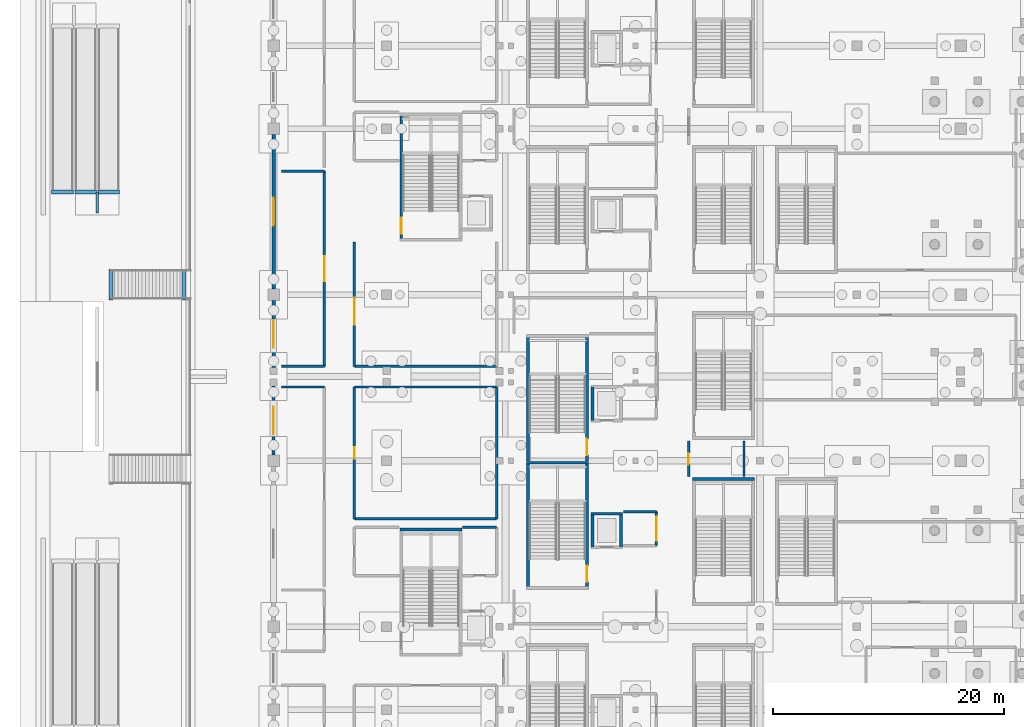
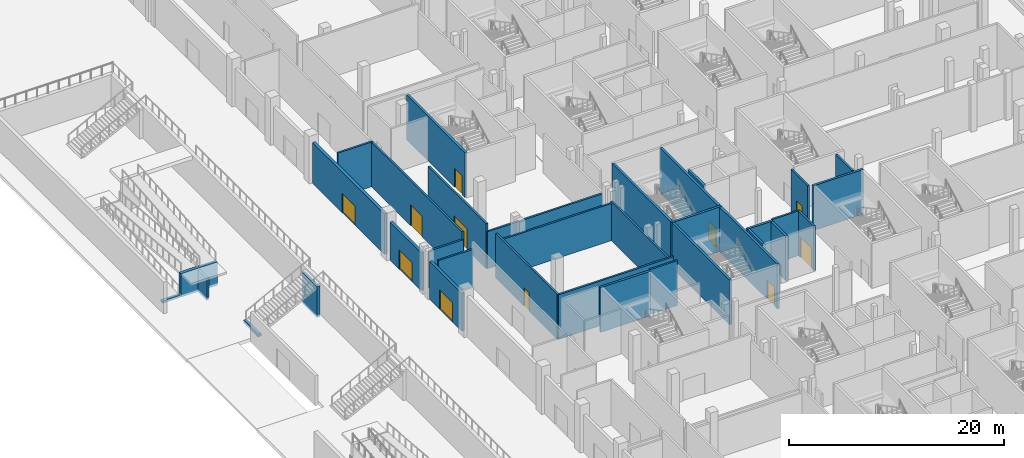
# One storey, part 35 of 89: 36 walls, 11 doors, 11 openings.
"""IFC4 building model written with IfcOpenShell, lengths in metres."""

from ifc_helpers import new_model, si_unit, direction, frame, frame_2d, origin, place, context, subcontext, project, spatial, rectangle, extrude, material, layer, layer_set, type_object, element, fill, save


model = new_model("IFC4")

# Units and contexts
model_context = context("Model", 3, precision=1e-05, world=origin(), true_north=direction((0.0, 1.0)))
body_context = subcontext(model_context, "Body", "Model", "MODEL_VIEW")
ifc_project = project(units=[si_unit("LENGTHUNIT", "METRE"), si_unit("AREAUNIT", "SQUARE_METRE"), si_unit("VOLUMEUNIT", "CUBIC_METRE"), si_unit("PLANEANGLEUNIT", "RADIAN"), si_unit("MASSUNIT", "GRAM", prefix="KILO")], contexts=[model_context])

# Site, building, storey
site_placement = place(None, origin())
site = spatial("IfcSite", under=ifc_project, at=site_placement, CompositionType="ELEMENT")
building_placement = place(site_placement, origin())
building = spatial("IfcBuilding", under=site, at=building_placement, Name="Koshinbarg Plaza Stadium", CompositionType="ELEMENT")
storey_placement = place(building_placement, origin())
storey = spatial("IfcBuildingStorey", under=building, at=storey_placement, Name="L00", CompositionType="ELEMENT", Elevation=0.0)

# Walls
ifc_material_1 = material(Name="Concrete C40/50", Category="concrete")
ifc_layer_1 = layer(ifc_material_1, 0.25)
ifc_layer_set_1 = layer_set([ifc_layer_1], Name="Concrete C40/50")
wall_type_1 = type_object("IfcWallType", Name="WL-CORE-250", PredefinedType="SHEAR", material=ifc_layer_set_1)
wall_1_placement = place(storey_placement, frame((31.320068359375, 68.52490234375, 0.0), z_axis=(0.0, 0.0, 1.0), x_axis=(-1.0, 0.0, 0.0)))
element("IfcWall", 1, at=wall_1_placement, inside=storey, type_object=wall_type_1, Name="L00 core stair shear wall C03-far IWL-L00-0058", PredefinedType="SHEAR", context=body_context, shape_type="SweptSolid", body=[
    extrude(rectangle(XDim=5.3701171875, YDim=0.25, at=frame_2d((2.68505859375, 0.0))), origin(), (0.0, 0.0, 1.0), 5.080078125),
])
wall_2_placement = place(storey_placement, frame((26.074951171875, 57.675048828125, 0.0), z_axis=(0.0, 0.0, 1.0), x_axis=(0.0, 1.0, 0.0)))
element("IfcWall", 2, at=wall_2_placement, inside=storey, type_object=wall_type_1, Name="L00 core stair shear wall C03-left IWL-L00-0059", PredefinedType="SHEAR", context=body_context, shape_type="SweptSolid", body=[
    extrude(rectangle(XDim=10.849853515625, YDim=0.25, at=frame_2d((5.4248046875, 0.0))), origin(), (0.0, 0.0, 1.0), 5.080078125),
])

# Wall, opening, door
wall_3_placement = place(storey_placement, frame((31.195068359375, 57.675048828125, 0.0), z_axis=(0.0, 0.0, 1.0), x_axis=(0.0, 1.0, 0.0)))
wall_3 = element("IfcWall", 3, at=wall_3_placement, inside=storey, type_object=wall_type_1, Name="L00 core stair shear wall C03-right IWL-L00-0060", PredefinedType="SHEAR", context=body_context, shape_type="SweptSolid", body=[
    extrude(rectangle(XDim=10.849853515625, YDim=0.25, at=frame_2d((5.4248046875, 0.0))), origin(), (0.0, 0.0, 1.0), 5.080078125),
])
opening_1_placement = place(wall_3_placement, frame((0.52001953125, 0.0, 0.0)))
opening_1 = element("IfcOpeningElement", 4, at=opening_1_placement, cuts=wall_3, Name="Opening D-0075", PredefinedType="OPENING", context=body_context, shape_type="SweptSolid", body=[
    extrude(rectangle(XDim=1.39990234375, YDim=2.14990234375, at=frame_2d((0.699951171875, 1.074951171875))), frame((0.0, 0.135009765625, 0.0), z_axis=(0.0, -1.0, 0.0), x_axis=(1.0, 0.0, 0.0)), (0.0, 0.0, 1.0), 0.27001953125),
])
ifc_material_2 = material(Name="Painted galvanized steel fire door", Category="steel")
door_type_1 = type_object("IfcDoorType", Name="DR-STAIR-1400", OperationType="NOTDEFINED", PredefinedType="DOOR", material=ifc_material_2)
door_1_placement = place(opening_1_placement, frame((1.39990234375, 0.0, 0.0), z_axis=(0.0, 0.0, 1.0), x_axis=(-1.0, 0.0, 0.0)))
door_1 = element("IfcDoor", 5, at=door_1_placement, inside=storey, type_object=door_type_1, Name="L00 exit stair door C03", OperationType="SINGLE_SWING_LEFT", OverallHeight=2.14990234375, OverallWidth=1.39990234375, PredefinedType="DOOR", context=body_context, shape_type="SweptSolid", body=[
    extrude(rectangle(XDim=1.39990234375, YDim=2.14990234375, at=frame_2d((0.699951171875, 1.074951171875))), frame((0.0, 0.02490234375, 0.0), z_axis=(0.0, -1.0, 0.0), x_axis=(1.0, 0.0, 0.0)), (0.0, 0.0, 1.0), 0.050048828125),
])
fill(opening_1, door_1)

# Wall
wall_4_placement = place(storey_placement, frame((26.074951171875, 68.675048828125, 0.0), z_axis=(0.0, 0.0, 1.0), x_axis=(0.0, 1.0, 0.0)))
element("IfcWall", 6, at=wall_4_placement, inside=storey, type_object=wall_type_1, Name="L00 core stair shear wall C04-left IWL-L00-0086", PredefinedType="SHEAR", context=body_context, shape_type="SweptSolid", body=[
    extrude(rectangle(XDim=10.849853515625, YDim=0.25, at=frame_2d((5.4248046875, 0.0))), origin(), (0.0, 0.0, 1.0), 5.080078125),
])

# Wall, opening, door
wall_5_placement = place(storey_placement, frame((31.195068359375, 68.675048828125, 0.0), z_axis=(0.0, 0.0, 1.0), x_axis=(0.0, 1.0, 0.0)))
wall_5 = element("IfcWall", 7, at=wall_5_placement, inside=storey, type_object=wall_type_1, Name="L00 core stair shear wall C04-right IWL-L00-0087", PredefinedType="SHEAR", context=body_context, shape_type="SweptSolid", body=[
    extrude(rectangle(XDim=10.849853515625, YDim=0.25, at=frame_2d((5.4248046875, 0.0))), origin(), (0.0, 0.0, 1.0), 5.080078125),
])
opening_2_placement = place(wall_5_placement, frame((0.52001953125, 0.0, 0.0)))
opening_2 = element("IfcOpeningElement", 8, at=opening_2_placement, cuts=wall_5, Name="Opening D-0082", PredefinedType="OPENING", context=body_context, shape_type="SweptSolid", body=[
    extrude(rectangle(XDim=1.39990234375, YDim=2.14990234375, at=frame_2d((0.699951171875, 1.074951171875))), frame((0.0, 0.135009765625, 0.0), z_axis=(0.0, -1.0, 0.0), x_axis=(1.0, 0.0, 0.0)), (0.0, 0.0, 1.0), 0.27001953125),
])
door_2_placement = place(opening_2_placement, frame((1.39990234375, 0.0, 0.0), z_axis=(0.0, 0.0, 1.0), x_axis=(-1.0, 0.0, 0.0)))
door_2 = element("IfcDoor", 9, at=door_2_placement, inside=storey, type_object=door_type_1, Name="L00 exit stair door C04", OperationType="SINGLE_SWING_LEFT", OverallHeight=2.14990234375, OverallWidth=1.39990234375, PredefinedType="DOOR", context=body_context, shape_type="SweptSolid", body=[
    extrude(rectangle(XDim=1.39990234375, YDim=2.14990234375, at=frame_2d((0.699951171875, 1.074951171875))), frame((0.0, 0.02490234375, 0.0), z_axis=(0.0, -1.0, 0.0), x_axis=(1.0, 0.0, 0.0)), (0.0, 0.0, 1.0), 0.050048828125),
])
fill(opening_2, door_2)

wall_6_placement = place(storey_placement, frame((15.074951171875, 87.875, 0.0), z_axis=(0.0, 0.0, 1.0), x_axis=(0.0, 1.0, 0.0)))
wall_6 = element("IfcWall", 10, at=wall_6_placement, inside=storey, type_object=wall_type_1, Name="L00 core stair shear wall C15-left IWL-L00-0332", PredefinedType="SHEAR", context=body_context, shape_type="SweptSolid", body=[
    extrude(rectangle(XDim=10.85009765625, YDim=0.25, at=frame_2d((5.425048828125, 0.0))), origin(), (0.0, 0.0, 1.0), 5.080078125),
])
opening_3_placement = place(wall_6_placement, frame((0.52001953125, 0.0, 0.0)))
opening_3 = element("IfcOpeningElement", 11, at=opening_3_placement, cuts=wall_6, Name="Opening D-0145", PredefinedType="OPENING", context=body_context, shape_type="SweptSolid", body=[
    extrude(rectangle(XDim=1.39990234375, YDim=2.14990234375, at=frame_2d((0.699951171875, 1.074951171875))), frame((0.0, 0.135009765625, 0.0), z_axis=(0.0, -1.0, 0.0), x_axis=(1.0, 0.0, 0.0)), (0.0, 0.0, 1.0), 0.27001953125),
])
door_3_placement = place(opening_3_placement, origin())
door_3 = element("IfcDoor", 12, at=door_3_placement, inside=storey, type_object=door_type_1, Name="L00 exit stair door C15", OperationType="SINGLE_SWING_LEFT", OverallHeight=2.14990234375, OverallWidth=1.39990234375, PredefinedType="DOOR", context=body_context, shape_type="SweptSolid", body=[
    extrude(rectangle(XDim=1.39990234375, YDim=2.14990234375, at=frame_2d((0.699951171875, 1.074951171875))), frame((0.0, 0.02490234375, 0.0), z_axis=(0.0, -1.0, 0.0), x_axis=(1.0, 0.0, 0.0)), (0.0, 0.0, 1.0), 0.050048828125),
])
fill(opening_3, door_3)

# Walls
wall_7_placement = place(storey_placement, frame((20.320068359375, 62.72509765625, 0.0), z_axis=(0.0, 0.0, 1.0), x_axis=(-1.0, 0.0, 0.0)))
element("IfcWall", 13, at=wall_7_placement, inside=storey, type_object=wall_type_1, Name="L00 core stair shear wall C16-far IWL-L00-0343", PredefinedType="SHEAR", context=body_context, shape_type="SweptSolid", body=[
    extrude(rectangle(XDim=5.3701171875, YDim=0.25, at=frame_2d((2.68505859375, 0.0))), origin(), (0.0, 0.0, 1.0), 5.080078125),
])
wall_8_placement = place(storey_placement, frame((45.719970703125, 67.125, 0.0), z_axis=(0.0, 0.0, 1.0), x_axis=(-1.0, 0.0, 0.0)))
element("IfcWall", 14, at=wall_8_placement, inside=storey, type_object=wall_type_1, Name="L00 vomitory stair shear wall VX03-far IWL-L00-0387", PredefinedType="SHEAR", context=body_context, shape_type="SweptSolid", body=[
    extrude(rectangle(XDim=5.369873046875, YDim=0.25, at=frame_2d((2.68505859375, 0.0))), origin(), (0.0, 0.0, 1.0), 5.080078125),
])
wall_9_placement = place(storey_placement, frame((34.27490234375, 64.10009765625, 0.0), z_axis=(0.0, 0.0, 1.0), x_axis=(-1.0, 0.0, 0.0)))
element("IfcWall", 15, at=wall_9_placement, inside=storey, type_object=wall_type_1, Name="L00 lift shaft shear wall LP01-N IWL-L00-0709", PredefinedType="SHEAR", context=body_context, shape_type="SweptSolid", body=[
    extrude(rectangle(XDim=2.75, YDim=0.25, at=frame_2d((1.375, 0.0))), origin(), (0.0, 0.0, 1.0), 5.080078125),
])
for number, where, z_axis, x_axis, name in (
    (16, (31.64990234375, 64.10009765625, 0.0), (0.0, 0.0, 1.0), (0.0, -1.0, 0.0), "L00 lift shaft shear wall LP01-W IWL-L00-0710"),
    (17, (34.14990234375, 61.199951171875, 0.0), (0.0, 0.0, 1.0), (0.0, 1.0, 0.0), "L00 lift shaft shear wall LP01-E IWL-L00-0711"),
    (18, (31.64990234375, 75.10009765625, 0.0), (0.0, 0.0, 1.0), (0.0, -1.0, 0.0), "L00 lift shaft shear wall LP02-W IWL-L00-0738"),
):
    element("IfcWall", number, at=place(storey_placement, frame(where, z_axis=z_axis, x_axis=x_axis)), inside=storey, type_object=wall_type_1, Name=name, PredefinedType="SHEAR", context=body_context, shape_type="SweptSolid", body=[
        extrude(rectangle(XDim=2.900146484375, YDim=0.25, at=frame_2d((1.4501953125, 0.0))), origin(), (0.0, 0.0, 1.0), 5.080078125),
    ])

# Wall, opening, door
ifc_material_3 = material(Name="Terracotta-ochre mineral plaster insulated wall", Category="masonry")
ifc_layer_2 = layer(ifc_material_3, 0.280029296875)
ifc_layer_set_2 = layer_set([ifc_layer_2], Name="Terracotta-ochre mineral plaster insulated wall")
wall_type_2 = type_object("IfcWallType", Name="WL-EXT-280", PredefinedType="SOLIDWALL", material=ifc_layer_set_2)
wall_10_placement = place(storey_placement, frame((4.0, 69.195068359375, 0.0), z_axis=(0.0, 0.0, 1.0), x_axis=(0.0, 1.0, 0.0)))
wall_10 = element("IfcWall", 19, at=wall_10_placement, inside=storey, type_object=wall_type_2, Name="L00 exterior envelope wall EWL-L00-0008", PredefinedType="SOLIDWALL", context=body_context, shape_type="SweptSolid", body=[
    extrude(rectangle(XDim=6.010009765625, YDim=0.280029296875, at=frame_2d((3.0048828125, 0.0))), origin(), (0.0, 0.0, 1.0), 4.31005859375),
])
opening_4_placement = place(wall_10_placement, frame((1.804931640625, 0.0, 0.0)))
opening_4 = element("IfcOpeningElement", 20, at=opening_4_placement, cuts=wall_10, Name="Opening D-0009", PredefinedType="OPENING", context=body_context, shape_type="SweptSolid", body=[
    extrude(rectangle(XDim=2.39990234375, YDim=2.199951171875, at=frame_2d((1.199951171875, 1.10009765625))), frame((0.0, 0.14990234375, 0.0), z_axis=(0.0, -1.0, 0.0), x_axis=(1.0, 0.0, 0.0)), (0.0, 0.0, 1.0), 0.300048828125),
])
ifc_material_4 = material(Name="Anodised aluminium thermally broken exit door", Category="aluminium")
door_type_2 = type_object("IfcDoorType", Name="DR-EXIT-2400", OperationType="NOTDEFINED", PredefinedType="DOOR", material=ifc_material_4)
door_4_placement = place(opening_4_placement, origin())
door_4 = element("IfcDoor", 21, at=door_4_placement, inside=storey, type_object=door_type_2, Name="Main exit E08", OperationType="DOUBLE_DOOR_SINGLE_SWING", OverallHeight=2.199951171875, OverallWidth=2.39990234375, PredefinedType="DOOR", context=body_context, shape_type="SweptSolid", body=[
    extrude(rectangle(XDim=2.39990234375, YDim=2.199951171875, at=frame_2d((1.199951171875, 1.10009765625))), frame((0.0, 0.02490234375, 0.0), z_axis=(0.0, -1.0, 0.0), x_axis=(1.0, 0.0, 0.0)), (0.0, 0.0, 1.0), 0.050048828125),
])
fill(opening_4, door_4)

ifc_material_5 = material(Name="Off-white mineral plaster insulated wall", Category="masonry")
ifc_layer_3 = layer(ifc_material_5, 0.300048828125)
ifc_layer_set_3 = layer_set([ifc_layer_3], Name="Off-white mineral plaster insulated wall")
wall_type_3 = type_object("IfcWallType", Name="WL-EXT-300", PredefinedType="SOLIDWALL", material=ifc_layer_set_3)
wall_11_placement = place(storey_placement, frame((4.0, 76.794921875, 0.0), z_axis=(0.0, 0.0, 1.0), x_axis=(0.0, 1.0, 0.0)))
wall_11 = element("IfcWall", 22, at=wall_11_placement, inside=storey, type_object=wall_type_3, Name="L00 exterior envelope wall EWL-L00-0009", PredefinedType="SOLIDWALL", context=body_context, shape_type="SweptSolid", body=[
    extrude(rectangle(XDim=5.81005859375, YDim=0.300048828125, at=frame_2d((2.905029296875, 0.0))), origin(), (0.0, 0.0, 1.0), 4.31005859375),
])
opening_5_placement = place(wall_11_placement, frame((1.705078125, 0.0, 0.0)))
opening_5 = element("IfcOpeningElement", 23, at=opening_5_placement, cuts=wall_11, Name="Opening D-0010", PredefinedType="OPENING", context=body_context, shape_type="SweptSolid", body=[
    extrude(rectangle(XDim=2.39990234375, YDim=2.199951171875, at=frame_2d((1.199951171875, 1.10009765625))), frame((0.0, 0.159912109375, 0.0), z_axis=(0.0, -1.0, 0.0), x_axis=(1.0, 0.0, 0.0)), (0.0, 0.0, 1.0), 0.320068359375),
])
door_5_placement = place(opening_5_placement, origin())
door_5 = element("IfcDoor", 24, at=door_5_placement, inside=storey, type_object=door_type_2, Name="Main exit E09", OperationType="DOUBLE_DOOR_SINGLE_SWING", OverallHeight=2.199951171875, OverallWidth=2.39990234375, PredefinedType="DOOR", context=body_context, shape_type="SweptSolid", body=[
    extrude(rectangle(XDim=2.39990234375, YDim=2.199951171875, at=frame_2d((1.199951171875, 1.10009765625))), frame((0.0, 0.02490234375, 0.0), z_axis=(0.0, -1.0, 0.0), x_axis=(1.0, 0.0, 0.0)), (0.0, 0.0, 1.0), 0.050048828125),
])
fill(opening_5, door_5)

ifc_material_6 = material(Name="Ultramarine-blue pigmented mineral plaster facade wall", Category="masonry")
ifc_layer_4 = layer(ifc_material_6, 0.320068359375)
ifc_layer_set_4 = layer_set([ifc_layer_4], Name="Ultramarine-blue pigmented mineral plaster facade wall")
wall_type_4 = type_object("IfcWallType", Name="WL-EXT-320", PredefinedType="SOLIDWALL", material=ifc_layer_set_4)
wall_12_placement = place(storey_placement, frame((4.0, 83.594970703125, 0.0), z_axis=(0.0, 0.0, 1.0), x_axis=(0.0, 1.0, 0.0)))
wall_12 = element("IfcWall", 25, at=wall_12_placement, inside=storey, type_object=wall_type_4, Name="L00 exterior envelope wall EWL-L00-0010", PredefinedType="SOLIDWALL", context=body_context, shape_type="SweptSolid", body=[
    extrude(rectangle(XDim=13.409912109375, YDim=0.320068359375, at=frame_2d((6.705078125, 0.0))), origin(), (0.0, 0.0, 1.0), 4.610107421875),
])
opening_6_placement = place(wall_12_placement, frame((5.5048828125, 0.0, 0.0)))
opening_6 = element("IfcOpeningElement", 26, at=opening_6_placement, cuts=wall_12, Name="Opening D-0011", PredefinedType="OPENING", context=body_context, shape_type="SweptSolid", body=[
    extrude(rectangle(XDim=2.39990234375, YDim=2.199951171875, at=frame_2d((1.199951171875, 1.10009765625))), frame((0.0, 0.169921875, 0.0), z_axis=(0.0, -1.0, 0.0), x_axis=(1.0, 0.0, 0.0)), (0.0, 0.0, 1.0), 0.340087890625),
])
door_6_placement = place(opening_6_placement, origin())
door_6 = element("IfcDoor", 27, at=door_6_placement, inside=storey, type_object=door_type_2, Name="Main exit E10", OperationType="DOUBLE_DOOR_SINGLE_SWING", OverallHeight=2.199951171875, OverallWidth=2.39990234375, PredefinedType="DOOR", context=body_context, shape_type="SweptSolid", body=[
    extrude(rectangle(XDim=2.39990234375, YDim=2.199951171875, at=frame_2d((1.199951171875, 1.10009765625))), frame((0.0, 0.02490234375, 0.0), z_axis=(0.0, -1.0, 0.0), x_axis=(1.0, 0.0, 0.0)), (0.0, 0.0, 1.0), 0.050048828125),
])
fill(opening_6, door_6)

# Wall
ifc_material_7 = material(Name="Autoclaved aerated blockwork fire partition", Category="masonry")
ifc_layer_5 = layer(ifc_material_7, 0.199951171875)
ifc_layer_set_5 = layer_set([ifc_layer_5], Name="Autoclaved aerated blockwork fire partition")
wall_type_5 = type_object("IfcWallType", Name="WL-PART-200", PredefinedType="PARTITIONING", material=ifc_layer_set_5)
wall_13_placement = place(storey_placement, frame((44.800048828125, 67.330078125, 0.0), z_axis=(0.0, 0.0, 1.0), x_axis=(0.0, 1.0, 0.0)))
element("IfcWall", 28, at=wall_13_placement, inside=storey, type_object=wall_type_5, Name="L00 interior partition L00-70-east IWL-L00-1064", PredefinedType="PARTITIONING", context=body_context, shape_type="SweptSolid", body=[
    extrude(rectangle(XDim=3.06982421875, YDim=0.199951171875, at=frame_2d((1.534912109375, 0.0))), origin(), (0.0, 0.0, 1.0), 5.080078125),
])

# Wall, opening, door
wall_14_placement = place(storey_placement, frame((40.0, 70.39990234375, 0.0), z_axis=(0.0, 0.0, 1.0), x_axis=(0.0, -1.0, 0.0)))
wall_14 = element("IfcWall", 29, at=wall_14_placement, inside=storey, type_object=wall_type_5, Name="L00 interior partition L00-70-west IWL-L00-1065", PredefinedType="PARTITIONING", context=body_context, shape_type="SweptSolid", body=[
    extrude(rectangle(XDim=3.06982421875, YDim=0.199951171875, at=frame_2d((1.534912109375, 0.0))), origin(), (0.0, 0.0, 1.0), 5.080078125),
])
opening_7_placement = place(wall_14_placement, frame((1.034912109375, 0.0, 0.0)))
opening_7 = element("IfcOpeningElement", 30, at=opening_7_placement, cuts=wall_14, Name="Opening D-0339", PredefinedType="OPENING", context=body_context, shape_type="SweptSolid", body=[
    extrude(rectangle(XDim=1.0, YDim=2.10009765625, at=frame_2d((0.5, 1.050048828125))), frame((0.0, 0.10986328125, 0.0), z_axis=(0.0, -1.0, 0.0), x_axis=(1.0, 0.0, 0.0)), (0.0, 0.0, 1.0), 0.219970703125),
])
ifc_material_8 = material(Name="Solid-core laminate accessible WC door")
door_type_3 = type_object("IfcDoorType", Name="DR-INT-1000x2100", OperationType="NOTDEFINED", PredefinedType="DOOR", material=ifc_material_8)
door_7_placement = place(opening_7_placement, origin())
door_7 = element("IfcDoor", 31, at=door_7_placement, inside=storey, type_object=door_type_3, Name="L00 Accessible WC 1 door D-0339", OperationType="SINGLE_SWING_LEFT", OverallHeight=2.10009765625, OverallWidth=1.0, PredefinedType="DOOR", context=body_context, shape_type="SweptSolid", body=[
    extrude(rectangle(XDim=1.0, YDim=2.10009765625, at=frame_2d((0.5, 1.050048828125))), frame((0.0, 0.02490234375, 0.0), z_axis=(0.0, -1.0, 0.0), x_axis=(1.0, 0.0, 0.0)), (0.0, 0.0, 1.0), 0.050048828125),
])
fill(opening_7, door_7)

wall_15_placement = place(storey_placement, frame((37.199951171875, 61.330078125, 0.0), z_axis=(0.0, 0.0, 1.0), x_axis=(0.0, 1.0, 0.0)))
wall_15 = element("IfcWall", 32, at=wall_15_placement, inside=storey, type_object=wall_type_5, Name="L00 interior partition L00-78-east IWL-L00-1085", PredefinedType="PARTITIONING", context=body_context, shape_type="SweptSolid", body=[
    extrude(rectangle(XDim=2.949951171875, YDim=0.199951171875, at=frame_2d((1.47509765625, 0.0))), origin(), (0.0, 0.0, 1.0), 5.080078125),
])
opening_8_placement = place(wall_15_placement, frame((0.43505859375, 0.0, 0.0)))
opening_8 = element("IfcOpeningElement", 33, at=opening_8_placement, cuts=wall_15, Name="Opening D-0347", PredefinedType="OPENING", context=body_context, shape_type="SweptSolid", body=[
    extrude(rectangle(XDim=2.080078125, YDim=2.35009765625, at=frame_2d((1.0400390625, 1.175048828125))), frame((0.0, 0.10986328125, 0.0), z_axis=(0.0, -1.0, 0.0), x_axis=(1.0, 0.0, 0.0)), (0.0, 0.0, 1.0), 0.219970703125),
])
ifc_material_9 = material(Name="Laminated safety glass aluminium vestibule door", Category="aluminium")
door_type_4 = type_object("IfcDoorType", Name="DR-INT-2080x2350", OperationType="NOTDEFINED", PredefinedType="DOOR", material=ifc_material_9)
door_8_placement = place(opening_8_placement, origin())
door_8 = element("IfcDoor", 34, at=door_8_placement, inside=storey, type_object=door_type_4, Name="L00 Medical and Doping Control Room door D-0347", OperationType="DOUBLE_DOOR_SINGLE_SWING", OverallHeight=2.35009765625, OverallWidth=2.080078125, PredefinedType="DOOR", context=body_context, shape_type="SweptSolid", body=[
    extrude(rectangle(XDim=2.080078125, YDim=2.35009765625, at=frame_2d((1.0400390625, 1.175048828125))), frame((0.0, 0.02490234375, 0.0), z_axis=(0.0, -1.0, 0.0), x_axis=(1.0, 0.0, 0.0)), (0.0, 0.0, 1.0), 0.050048828125),
])
fill(opening_8, door_8)

# Walls
wall_16_placement = place(storey_placement, frame((37.199951171875, 64.280029296875, 0.0), z_axis=(0.0, 0.0, 1.0), x_axis=(-1.0, 0.0, 0.0)))
element("IfcWall", 35, at=wall_16_placement, inside=storey, type_object=wall_type_5, Name="L00 interior partition L00-78-north IWL-L00-1086", PredefinedType="PARTITIONING", context=body_context, shape_type="SweptSolid", body=[
    extrude(rectangle(XDim=2.869873046875, YDim=0.199951171875, at=frame_2d((1.43505859375, 0.0))), origin(), (0.0, 0.0, 1.0), 5.080078125),
])
wall_17_placement = place(storey_placement, frame((4.699951171875, 76.89501953125, 0.0), z_axis=(0.0, 0.0, 1.0), x_axis=(1.0, 0.0, 0.0)))
element("IfcWall", 36, at=wall_17_placement, inside=storey, type_object=wall_type_5, Name="L00 interior partition L00-147-south IWL-L00-1269", PredefinedType="PARTITIONING", context=body_context, shape_type="SweptSolid", body=[
    extrude(rectangle(XDim=3.699951171875, YDim=0.199951171875, at=frame_2d((1.85009765625, 0.0))), origin(), (0.0, 0.0, 1.0), 4.2099609375),
])

# Wall, opening, door
wall_18_placement = place(storey_placement, frame((8.39990234375, 76.89501953125, 0.0), z_axis=(0.0, 0.0, 1.0), x_axis=(0.0, 1.0, 0.0)))
wall_18 = element("IfcWall", 37, at=wall_18_placement, inside=storey, type_object=wall_type_5, Name="L00 interior partition L00-147-east IWL-L00-1270", PredefinedType="PARTITIONING", context=body_context, shape_type="SweptSolid", body=[
    extrude(rectangle(XDim=16.927490234375, YDim=0.199951171875, at=frame_2d((8.4638671875, 0.0))), origin(), (0.0, 0.0, 1.0), 5.080078125),
])
opening_9_placement = place(wall_18_placement, frame((7.3837890625, 0.0, 0.0)))
opening_9 = element("IfcOpeningElement", 38, at=opening_9_placement, cuts=wall_18, Name="Opening D-0416", PredefinedType="OPENING", context=body_context, shape_type="SweptSolid", body=[
    extrude(rectangle(XDim=2.159912109375, YDim=2.35009765625, at=frame_2d((1.080078125, 1.175048828125))), frame((0.0, 0.10986328125, 0.0), z_axis=(0.0, -1.0, 0.0), x_axis=(1.0, 0.0, 0.0)), (0.0, 0.0, 1.0), 0.219970703125),
])
ifc_material_10 = material(Name="Galvanized painted steel double leaf door", Category="steel")
door_type_5 = type_object("IfcDoorType", Name="DR-INT-2160x2350", OperationType="NOTDEFINED", PredefinedType="DOOR", material=ifc_material_10)
door_9_placement = place(opening_9_placement, origin())
door_9 = element("IfcDoor", 39, at=door_9_placement, inside=storey, type_object=door_type_5, Name="L00 Metro Forecourt Ticketing Foyer door D-0416", OperationType="DOUBLE_DOOR_SINGLE_SWING", OverallHeight=2.35009765625, OverallWidth=2.159912109375, PredefinedType="DOOR", context=body_context, shape_type="SweptSolid", body=[
    extrude(rectangle(XDim=2.159912109375, YDim=2.35009765625, at=frame_2d((1.080078125, 1.175048828125))), frame((0.0, 0.02490234375, 0.0), z_axis=(0.0, -1.0, 0.0), x_axis=(1.0, 0.0, 0.0)), (0.0, 0.0, 1.0), 0.050048828125),
])
fill(opening_9, door_9)

# Walls
wall_19_placement = place(storey_placement, frame((8.39990234375, 93.822509765625, 0.0), z_axis=(0.0, 0.0, 1.0), x_axis=(-1.0, 0.0, 0.0)))
element("IfcWall", 40, at=wall_19_placement, inside=storey, type_object=wall_type_5, Name="L00 interior partition L00-147-north IWL-L00-1271", PredefinedType="PARTITIONING", context=body_context, shape_type="SweptSolid", body=[
    extrude(rectangle(XDim=3.699951171875, YDim=0.199951171875, at=frame_2d((1.85009765625, 0.0))), origin(), (0.0, 0.0, 1.0), 5.080078125),
])
wall_20_placement = place(storey_placement, frame((11.0, 76.89501953125, 0.0), z_axis=(0.0, 0.0, 1.0), x_axis=(1.0, 0.0, 0.0)))
element("IfcWall", 41, at=wall_20_placement, inside=storey, type_object=wall_type_5, Name="L00 interior partition L00-149-south IWL-L00-1274", PredefinedType="PARTITIONING", context=body_context, shape_type="SweptSolid", body=[
    extrude(rectangle(XDim=12.35498046875, YDim=0.199951171875, at=frame_2d((6.177490234375, 0.0))), origin(), (0.0, 0.0, 1.0), 4.2099609375),
])

# Wall, opening, door
wall_21_placement = place(storey_placement, frame((11.0, 87.669921875, 0.0), z_axis=(0.0, 0.0, 1.0), x_axis=(0.0, -1.0, 0.0)))
wall_21 = element("IfcWall", 42, at=wall_21_placement, inside=storey, type_object=wall_type_5, Name="L00 interior partition L00-149-west IWL-L00-1276", PredefinedType="PARTITIONING", context=body_context, shape_type="SweptSolid", body=[
    extrude(rectangle(XDim=10.77490234375, YDim=0.199951171875, at=frame_2d((5.387451171875, 0.0))), origin(), (0.0, 0.0, 1.0), 5.080078125),
])
opening_10_placement = place(wall_21_placement, frame((4.82470703125, 0.0, 0.0)))
opening_10 = element("IfcOpeningElement", 43, at=opening_10_placement, cuts=wall_21, Name="Opening D-0418", PredefinedType="OPENING", context=body_context, shape_type="SweptSolid", body=[
    extrude(rectangle(XDim=2.360107421875, YDim=2.39990234375, at=frame_2d((1.18017578125, 1.199951171875))), frame((0.0, 0.10986328125, 0.0), z_axis=(0.0, -1.0, 0.0), x_axis=(1.0, 0.0, 0.0)), (0.0, 0.0, 1.0), 0.219970703125),
])
ifc_material_11 = material(Name="Powder-coated steel and tempered glass double door", Category="steel")
door_type_6 = type_object("IfcDoorType", Name="DR-INT-2360x2400", OperationType="NOTDEFINED", PredefinedType="DOOR", material=ifc_material_11)
door_10_placement = place(opening_10_placement, origin())
door_10 = element("IfcDoor", 44, at=door_10_placement, inside=storey, type_object=door_type_6, Name="L00 Flagship Supporters' Retail Shop door D-0418", OperationType="DOUBLE_DOOR_SINGLE_SWING", OverallHeight=2.39990234375, OverallWidth=2.360107421875, PredefinedType="DOOR", context=body_context, shape_type="SweptSolid", body=[
    extrude(rectangle(XDim=2.360107421875, YDim=2.39990234375, at=frame_2d((1.18017578125, 1.199951171875))), frame((0.0, 0.02490234375, 0.0), z_axis=(0.0, -1.0, 0.0), x_axis=(1.0, 0.0, 0.0)), (0.0, 0.0, 1.0), 0.050048828125),
])
fill(opening_10, door_10)

# Walls
wall_22_placement = place(storey_placement, frame((8.39990234375, 75.10498046875, 0.0), z_axis=(0.0, 0.0, 1.0), x_axis=(-1.0, 0.0, 0.0)))
element("IfcWall", 45, at=wall_22_placement, inside=storey, type_object=wall_type_5, Name="L00 interior partition L00-165-north IWL-L00-1324", PredefinedType="PARTITIONING", context=body_context, shape_type="SweptSolid", body=[
    extrude(rectangle(XDim=3.699951171875, YDim=0.199951171875, at=frame_2d((1.85009765625, 0.0))), origin(), (0.0, 0.0, 1.0), 4.2099609375),
])
wall_23_placement = place(storey_placement, frame((23.35498046875, 62.929931640625, 0.0), z_axis=(0.0, 0.0, 1.0), x_axis=(-1.0, 0.0, 0.0)))
element("IfcWall", 46, at=wall_23_placement, inside=storey, type_object=wall_type_5, Name="L00 interior partition L00-168-north IWL-L00-1334", PredefinedType="PARTITIONING", context=body_context, shape_type="SweptSolid", body=[
    extrude(rectangle(XDim=2.955078125, YDim=0.199951171875, at=frame_2d((1.4775390625, 0.0))), origin(), (0.0, 0.0, 1.0), 5.080078125),
])
wall_24_placement = place(storey_placement, frame((11.0, 63.659912109375, 0.0), z_axis=(0.0, 0.0, 1.0), x_axis=(1.0, 0.0, 0.0)))
element("IfcWall", 47, at=wall_24_placement, inside=storey, type_object=wall_type_5, Name="L00 interior partition L00-169-south IWL-L00-1335", PredefinedType="PARTITIONING", context=body_context, shape_type="SweptSolid", body=[
    extrude(rectangle(XDim=12.35498046875, YDim=0.199951171875, at=frame_2d((6.177490234375, 0.0))), origin(), (0.0, 0.0, 1.0), 5.080078125),
])
wall_25_placement = place(storey_placement, frame((23.35498046875, 63.659912109375, 0.0), z_axis=(0.0, 0.0, 1.0), x_axis=(0.0, 1.0, 0.0)))
element("IfcWall", 48, at=wall_25_placement, inside=storey, type_object=wall_type_5, Name="L00 interior partition L00-169-east IWL-L00-1336", PredefinedType="PARTITIONING", context=body_context, shape_type="SweptSolid", body=[
    extrude(rectangle(XDim=11.445068359375, YDim=0.199951171875, at=frame_2d((5.72265625, 0.0))), origin(), (0.0, 0.0, 1.0), 4.409912109375),
])
wall_26_placement = place(storey_placement, frame((23.35498046875, 75.10498046875, 0.0), z_axis=(0.0, 0.0, 1.0), x_axis=(-1.0, 0.0, 0.0)))
element("IfcWall", 49, at=wall_26_placement, inside=storey, type_object=wall_type_5, Name="L00 interior partition L00-169-north IWL-L00-1337", PredefinedType="PARTITIONING", context=body_context, shape_type="SweptSolid", body=[
    extrude(rectangle(XDim=12.35498046875, YDim=0.199951171875, at=frame_2d((6.177490234375, 0.0))), origin(), (0.0, 0.0, 1.0), 4.2099609375),
])

# Wall, opening, door
wall_27_placement = place(storey_placement, frame((11.0, 75.10498046875, 0.0), z_axis=(0.0, 0.0, 1.0), x_axis=(0.0, -1.0, 0.0)))
wall_27 = element("IfcWall", 50, at=wall_27_placement, inside=storey, type_object=wall_type_5, Name="L00 interior partition L00-169-west IWL-L00-1338", PredefinedType="PARTITIONING", context=body_context, shape_type="SweptSolid", body=[
    extrude(rectangle(XDim=11.445068359375, YDim=0.199951171875, at=frame_2d((5.72265625, 0.0))), origin(), (0.0, 0.0, 1.0), 5.080078125),
])
opening_11_placement = place(wall_27_placement, frame((5.222412109375, 0.0, 0.0)))
opening_11 = element("IfcOpeningElement", 51, at=opening_11_placement, cuts=wall_27, Name="Opening D-0438", PredefinedType="OPENING", context=body_context, shape_type="SweptSolid", body=[
    extrude(rectangle(XDim=1.0, YDim=2.10009765625, at=frame_2d((0.5, 1.050048828125))), frame((0.0, 0.10986328125, 0.0), z_axis=(0.0, -1.0, 0.0), x_axis=(1.0, 0.0, 0.0)), (0.0, 0.0, 1.0), 0.219970703125),
])
door_11_placement = place(opening_11_placement, origin())
door_11 = element("IfcDoor", 52, at=door_11_placement, inside=storey, type_object=door_type_3, Name="L00 VIP and Media Accreditation Hall door D-0438", OperationType="SINGLE_SWING_RIGHT", OverallHeight=2.10009765625, OverallWidth=1.0, PredefinedType="DOOR", context=body_context, shape_type="SweptSolid", body=[
    extrude(rectangle(XDim=1.0, YDim=2.10009765625, at=frame_2d((0.5, 1.050048828125))), frame((0.0, 0.02490234375, 0.0), z_axis=(0.0, -1.0, 0.0), x_axis=(1.0, 0.0, 0.0)), (0.0, 0.0, 1.0), 0.050048828125),
])
fill(opening_11, door_11)

# Walls
ifc_material_12 = material(Name="Concrete C35/45", Category="concrete")
ifc_layer_6 = layer(ifc_material_12, 0.39990234375)
ifc_layer_set_6 = layer_set([ifc_layer_6], Name="Concrete C35/45")
wall_type_6 = type_object("IfcWallType", Name="WL-RET-400", PredefinedType="USERDEFINED", material=ifc_layer_set_6)
wall_28_placement = place(storey_placement, frame((-15.25, 92.0, -3.85009765625), z_axis=(0.0, 0.0, 1.0), x_axis=(1.0, 0.0, 0.0)))
element("IfcWall", 53, at=wall_28_placement, inside=storey, type_object=wall_type_6, Name="RMP-FC-N1 lower end bearing wall", ObjectType="RETAININGWALL", PredefinedType="USERDEFINED", context=body_context, shape_type="SweptSolid", body=[
    extrude(rectangle(XDim=1.89990234375, YDim=0.35009765625, at=frame_2d((0.949951171875, 0.0))), origin(), (0.0, 0.0, 1.0), 0.25),
])
wall_29_placement = place(storey_placement, frame((-13.25, 92.0, -3.85009765625), z_axis=(0.0, 0.0, 1.0), x_axis=(1.0, 0.0, 0.0)))
element("IfcWall", 54, at=wall_29_placement, inside=storey, type_object=wall_type_6, Name="RMP-FC-N2 upper end bearing wall", ObjectType="RETAININGWALL", PredefinedType="USERDEFINED", context=body_context, shape_type="SweptSolid", body=[
    extrude(rectangle(XDim=1.89990234375, YDim=0.35009765625, at=frame_2d((0.949951171875, 0.0))), origin(), (0.0, 0.0, 1.0), 2.650146484375),
])
wall_30_placement = place(storey_placement, frame((-11.300048828125, 90.199951171875, -3.85009765625), z_axis=(0.0, 0.0, 1.0), x_axis=(0.0, 1.0, 0.0)))
element("IfcWall", 55, at=wall_30_placement, inside=storey, type_object=wall_type_6, Name="RMP-FC-N2 landing centre pier", ObjectType="RETAININGWALL", PredefinedType="USERDEFINED", context=body_context, shape_type="SweptSolid", body=[
    extrude(rectangle(XDim=1.75, YDim=0.25, at=frame_2d((0.875, 0.0))), origin(), (0.0, 0.0, 1.0), 2.43017578125),
])
wall_31_placement = place(storey_placement, frame((-11.25, 92.0, -3.85009765625), z_axis=(0.0, 0.0, 1.0), x_axis=(1.0, 0.0, 0.0)))
element("IfcWall", 56, at=wall_31_placement, inside=storey, type_object=wall_type_6, Name="RMP-FC-N3 lower end bearing wall", ObjectType="RETAININGWALL", PredefinedType="USERDEFINED", context=body_context, shape_type="SweptSolid", body=[
    extrude(rectangle(XDim=1.89990234375, YDim=0.35009765625, at=frame_2d((0.949951171875, 0.0))), origin(), (0.0, 0.0, 1.0), 2.650146484375),
])
wall_32_placement = place(storey_placement, frame((-10.10009765625, 82.64990234375, -3.85009765625), z_axis=(0.0, 0.0, 1.0), x_axis=(0.0, 1.0, 0.0)))
element("IfcWall", 57, at=wall_32_placement, inside=storey, type_object=wall_type_6, Name="ST-FC-03 flight bearing wall 1", ObjectType="RETAININGWALL", PredefinedType="USERDEFINED", context=body_context, shape_type="SweptSolid", body=[
    extrude(rectangle(XDim=2.7001953125, YDim=0.35009765625, at=frame_2d((1.35009765625, 0.0))), origin(), (0.0, 0.0, 1.0), 0.300048828125),
])
wall_33_placement = place(storey_placement, frame((-3.780029296875, 82.64990234375, -3.85009765625), z_axis=(0.0, 0.0, 1.0), x_axis=(0.0, 1.0, 0.0)))
element("IfcWall", 58, at=wall_33_placement, inside=storey, type_object=wall_type_6, Name="ST-FC-03 flight bearing wall 2", ObjectType="RETAININGWALL", PredefinedType="USERDEFINED", context=body_context, shape_type="SweptSolid", body=[
    extrude(rectangle(XDim=2.7001953125, YDim=0.35009765625, at=frame_2d((1.35009765625, 0.0))), origin(), (0.0, 0.0, 1.0), 3.5),
])

save(model, "model.ifc")
